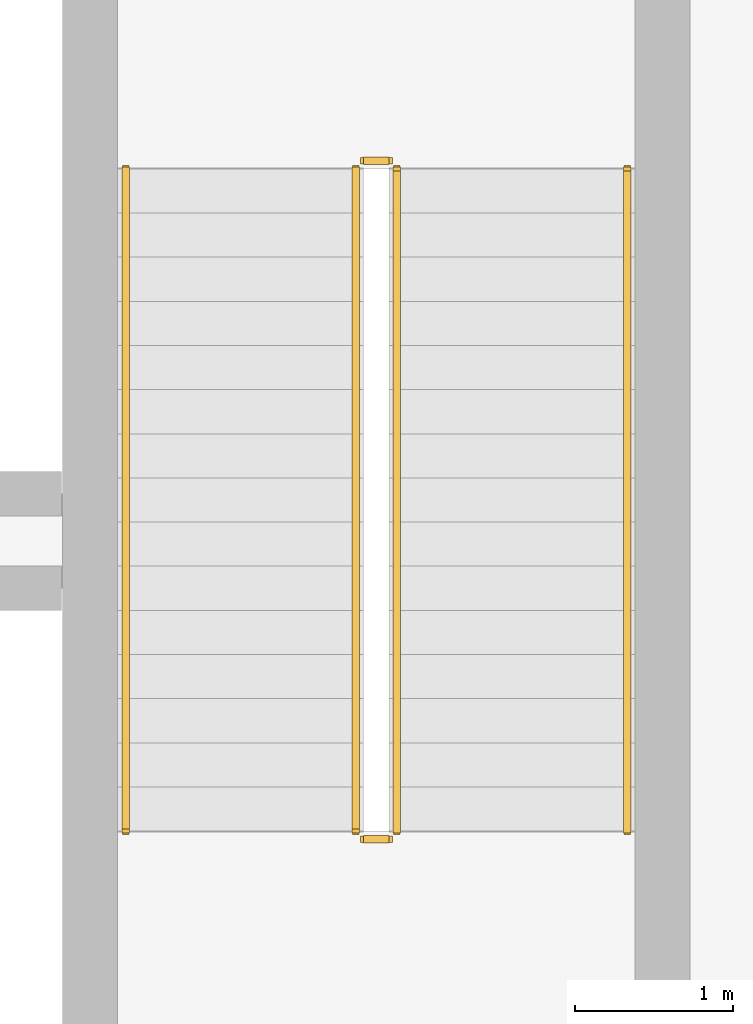
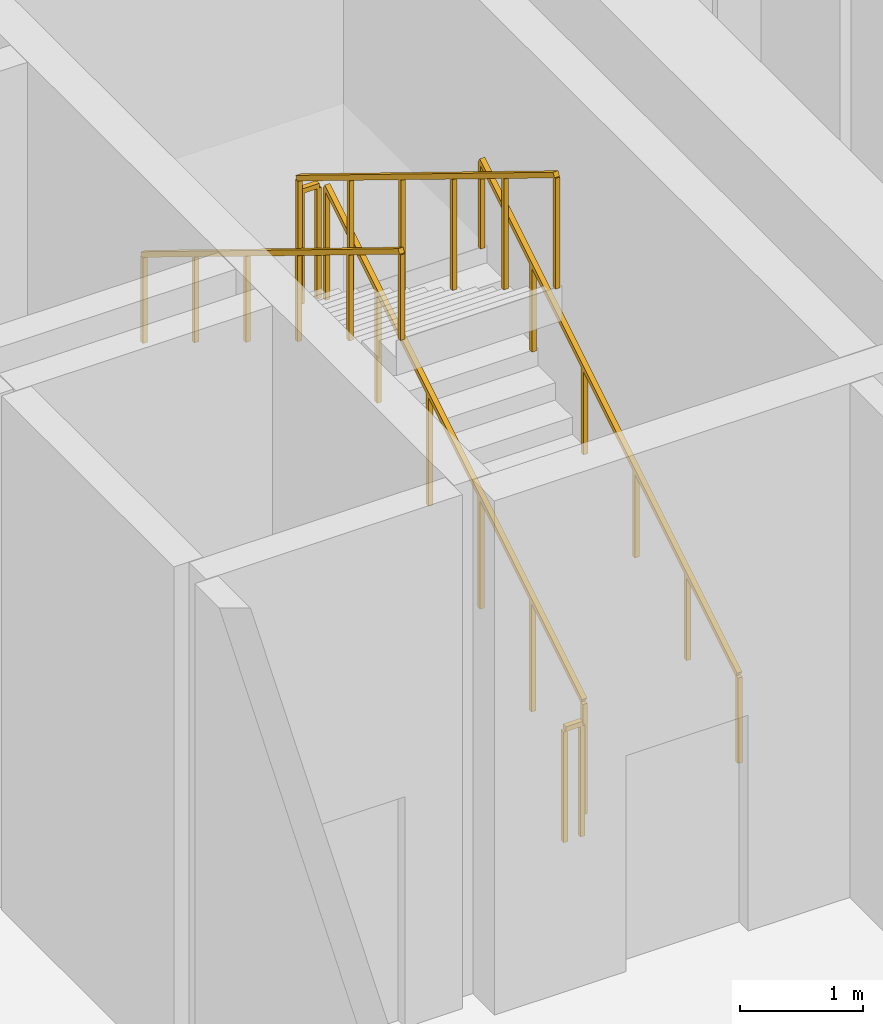
# One storey, part 26 of 26: 6 railings.
"""IFC4 building model written with IfcOpenShell, lengths in metres."""

from ifc_helpers import new_model, si_unit, direction, frame, origin, origin_2d, place, context, subcontext, project, spatial, rectangle, extrude, material, type_object, element, save


model = new_model("IFC4")

# Units and contexts
model_context = context("Model", 3, precision=1e-05, world=origin(), true_north=direction((0.0, 1.0)))
body_context = subcontext(model_context, "Body", "Model", "MODEL_VIEW")
ifc_project = project(units=[si_unit("LENGTHUNIT", "METRE"), si_unit("AREAUNIT", "SQUARE_METRE"), si_unit("VOLUMEUNIT", "CUBIC_METRE"), si_unit("PLANEANGLEUNIT", "RADIAN"), si_unit("MASSUNIT", "GRAM", prefix="KILO")], contexts=[model_context])

# Site, building, storey
site_placement = place(None, origin())
site = spatial("IfcSite", under=ifc_project, at=site_placement, CompositionType="ELEMENT")
building_placement = place(site_placement, origin())
building = spatial("IfcBuilding", under=site, at=building_placement, Name="Kaelvorn Grand Hotel", CompositionType="ELEMENT")
storey_placement = place(building_placement, frame((0.0, 0.0, 294.699951171875)))
storey = spatial("IfcBuildingStorey", under=building, at=storey_placement, Name="L72", CompositionType="ELEMENT", Elevation=294.699951171875)

# Railings
ifc_material = material(Name="Stainless Steel", Category="steel")
railing_type_1 = type_object("IfcRailingType", Name="RL-HANDRAIL-900", PredefinedType="HANDRAIL", material=ifc_material)
railing_1_placement = place(storey_placement, frame((66.550048828125, 41.760009765625, 0.171875)))
element("IfcRailing", 1, at=railing_1_placement, inside=storey, type_object=railing_type_1, Name="L72 ST3 stair handrail 1", PredefinedType="HANDRAIL", context=body_context, shape_type="SweptSolid", body=[
    extrude(rectangle(XDim=0.048095703125, YDim=0.048095703125, at=origin_2d()), frame((0.0, 0.0, 0.8759765625), z_axis=(0.0, 0.852242915053, 0.523146264196), x_axis=(-1.0, 0.0, 0.0)), (0.0, 0.0, 1.0), 4.92822265625),
    extrude(rectangle(XDim=0.0419921875, YDim=0.0419921875, at=origin_2d()), origin(), (0.0, 0.0, 1.0), 0.851806640625),
    extrude(rectangle(XDim=0.0419921875, YDim=0.0419921875, at=origin_2d()), frame((0.0, 0.840087890625, 0.515625)), (0.0, 0.0, 1.0), 0.851806640625),
    extrude(rectangle(XDim=0.0419921875, YDim=0.0419921875, at=origin_2d()), frame((0.0, 1.679931640625, 1.03125)), (0.0, 0.0, 1.0), 0.851806640625),
    extrude(rectangle(XDim=0.0419921875, YDim=0.0419921875, at=origin_2d()), frame((0.0, 2.52001953125, 1.546875)), (0.0, 0.0, 1.0), 0.851806640625),
    extrude(rectangle(XDim=0.0419921875, YDim=0.0419921875, at=origin_2d()), frame((0.0, 3.35986328125, 2.0625)), (0.0, 0.0, 1.0), 0.851806640625),
    extrude(rectangle(XDim=0.0419921875, YDim=0.0419921875, at=origin_2d()), frame((0.0, 4.199951171875, 2.578125)), (0.0, 0.0, 1.0), 0.851806640625),
])
railing_2_placement = place(storey_placement, frame((63.3701171875, 45.9599609375, 2.921875)))
element("IfcRailing", 2, at=railing_2_placement, inside=storey, type_object=railing_type_1, Name="L72 ST3 stair handrail 2", PredefinedType="HANDRAIL", context=body_context, shape_type="SweptSolid", body=[
    extrude(rectangle(XDim=0.048095703125, YDim=0.048095703125, at=origin_2d()), frame((0.0, 0.0, 0.8759765625), z_axis=(0.0, -0.852242915053, 0.523146264196), x_axis=(1.0, 0.0, 0.0)), (0.0, 0.0, 1.0), 4.92822265625),
    extrude(rectangle(XDim=0.0419921875, YDim=0.0419921875, at=origin_2d()), origin(), (0.0, 0.0, 1.0), 0.851806640625),
    extrude(rectangle(XDim=0.0419921875, YDim=0.0419921875, at=origin_2d()), frame((0.0, -0.840087890625, 0.515625)), (0.0, 0.0, 1.0), 0.851806640625),
    extrude(rectangle(XDim=0.0419921875, YDim=0.0419921875, at=origin_2d()), frame((0.0, -1.679931640625, 1.03125)), (0.0, 0.0, 1.0), 0.851806640625),
    extrude(rectangle(XDim=0.0419921875, YDim=0.0419921875, at=origin_2d()), frame((0.0, -2.52001953125, 1.546875)), (0.0, 0.0, 1.0), 0.851806640625),
    extrude(rectangle(XDim=0.0419921875, YDim=0.0419921875, at=origin_2d()), frame((0.0, -3.35986328125, 2.0625)), (0.0, 0.0, 1.0), 0.851806640625),
    extrude(rectangle(XDim=0.0419921875, YDim=0.0419921875, at=origin_2d()), frame((0.0, -4.199951171875, 2.578125)), (0.0, 0.0, 1.0), 0.851806640625),
])
railing_type_2 = type_object("IfcRailingType", Name="RL-STAIR-GUARD-1150", PredefinedType="BALUSTRADE", material=ifc_material)
railing_3_placement = place(storey_placement, frame((65.090087890625, 41.760009765625, 0.171875)))
element("IfcRailing", 3, at=railing_3_placement, inside=storey, type_object=railing_type_2, Name="L72 ST3 stair guard 1", PredefinedType="BALUSTRADE", context=body_context, shape_type="SweptSolid", body=[
    extrude(rectangle(XDim=0.048095703125, YDim=0.048095703125, at=origin_2d()), frame((0.0, 0.0, 1.1259765625), z_axis=(0.0, 0.852242915053, 0.523146264196), x_axis=(-1.0, 0.0, 0.0)), (0.0, 0.0, 1.0), 4.92822265625),
    extrude(rectangle(XDim=0.0419921875, YDim=0.0419921875, at=origin_2d()), origin(), (0.0, 0.0, 1.0), 1.101806640625),
    extrude(rectangle(XDim=0.0419921875, YDim=0.0419921875, at=origin_2d()), frame((0.0, 0.840087890625, 0.515625)), (0.0, 0.0, 1.0), 1.101806640625),
    extrude(rectangle(XDim=0.0419921875, YDim=0.0419921875, at=origin_2d()), frame((0.0, 1.679931640625, 1.03125)), (0.0, 0.0, 1.0), 1.101806640625),
    extrude(rectangle(XDim=0.0419921875, YDim=0.0419921875, at=origin_2d()), frame((0.0, 2.52001953125, 1.546875)), (0.0, 0.0, 1.0), 1.101806640625),
    extrude(rectangle(XDim=0.0419921875, YDim=0.0419921875, at=origin_2d()), frame((0.0, 3.35986328125, 2.0625)), (0.0, 0.0, 1.0), 1.101806640625),
    extrude(rectangle(XDim=0.0419921875, YDim=0.0419921875, at=origin_2d()), frame((0.0, 4.199951171875, 2.578125)), (0.0, 0.0, 1.0), 1.101806640625),
])
railing_4_placement = place(storey_placement, frame((65.0400390625, 46.010009765625, 2.75)))
element("IfcRailing", 4, at=railing_4_placement, inside=storey, type_object=railing_type_2, Name="L72 ST3 stair guard 2", PredefinedType="BALUSTRADE", context=body_context, shape_type="SweptSolid", body=[
    extrude(rectangle(XDim=0.048095703125, YDim=0.048095703125, at=origin_2d()), frame((0.0, 0.0, 1.1259765625), z_axis=(-1.0, 0.0, 0.0), x_axis=(0.0, -1.0, 0.0)), (0.0, 0.0, 1.0), 0.16015625),
    extrude(rectangle(XDim=0.0419921875, YDim=0.0419921875, at=origin_2d()), origin(), (0.0, 0.0, 1.0), 1.101806640625),
    extrude(rectangle(XDim=0.0419921875, YDim=0.0419921875, at=origin_2d()), frame((-0.16015625, 0.0, 0.0)), (0.0, 0.0, 1.0), 1.101806640625),
])
railing_5_placement = place(storey_placement, frame((64.830078125, 45.9599609375, 2.921875)))
element("IfcRailing", 5, at=railing_5_placement, inside=storey, type_object=railing_type_2, Name="L72 ST3 stair guard 3", PredefinedType="BALUSTRADE", context=body_context, shape_type="SweptSolid", body=[
    extrude(rectangle(XDim=0.048095703125, YDim=0.048095703125, at=origin_2d()), frame((0.0, 0.0, 1.1259765625), z_axis=(0.0, -0.852242915053, 0.523146264196), x_axis=(1.0, 0.0, 0.0)), (0.0, 0.0, 1.0), 4.92822265625),
    extrude(rectangle(XDim=0.0419921875, YDim=0.0419921875, at=origin_2d()), origin(), (0.0, 0.0, 1.0), 1.101806640625),
    extrude(rectangle(XDim=0.0419921875, YDim=0.0419921875, at=origin_2d()), frame((0.0, -0.840087890625, 0.515625)), (0.0, 0.0, 1.0), 1.101806640625),
    extrude(rectangle(XDim=0.0419921875, YDim=0.0419921875, at=origin_2d()), frame((0.0, -1.679931640625, 1.03125)), (0.0, 0.0, 1.0), 1.101806640625),
    extrude(rectangle(XDim=0.0419921875, YDim=0.0419921875, at=origin_2d()), frame((0.0, -2.52001953125, 1.546875)), (0.0, 0.0, 1.0), 1.101806640625),
    extrude(rectangle(XDim=0.0419921875, YDim=0.0419921875, at=origin_2d()), frame((0.0, -3.35986328125, 2.0625)), (0.0, 0.0, 1.0), 1.101806640625),
    extrude(rectangle(XDim=0.0419921875, YDim=0.0419921875, at=origin_2d()), frame((0.0, -4.199951171875, 2.578125)), (0.0, 0.0, 1.0), 1.101806640625),
])
railing_6_placement = place(storey_placement, frame((65.0400390625, 41.7099609375, 0.0)))
element("IfcRailing", 6, at=railing_6_placement, inside=storey, type_object=railing_type_2, Name="L72 ST3 stair guard 4", PredefinedType="BALUSTRADE", context=body_context, shape_type="SweptSolid", body=[
    extrude(rectangle(XDim=0.048095703125, YDim=0.048095703125, at=origin_2d()), frame((0.0, 0.0, 1.1259765625), z_axis=(-1.0, 0.0, 0.0), x_axis=(0.0, -1.0, 0.0)), (0.0, 0.0, 1.0), 0.16015625),
    extrude(rectangle(XDim=0.0419921875, YDim=0.0419921875, at=origin_2d()), origin(), (0.0, 0.0, 1.0), 1.101806640625),
    extrude(rectangle(XDim=0.0419921875, YDim=0.0419921875, at=origin_2d()), frame((-0.16015625, 0.0, 0.0)), (0.0, 0.0, 1.0), 1.101806640625),
])

save(model, "model.ifc")
